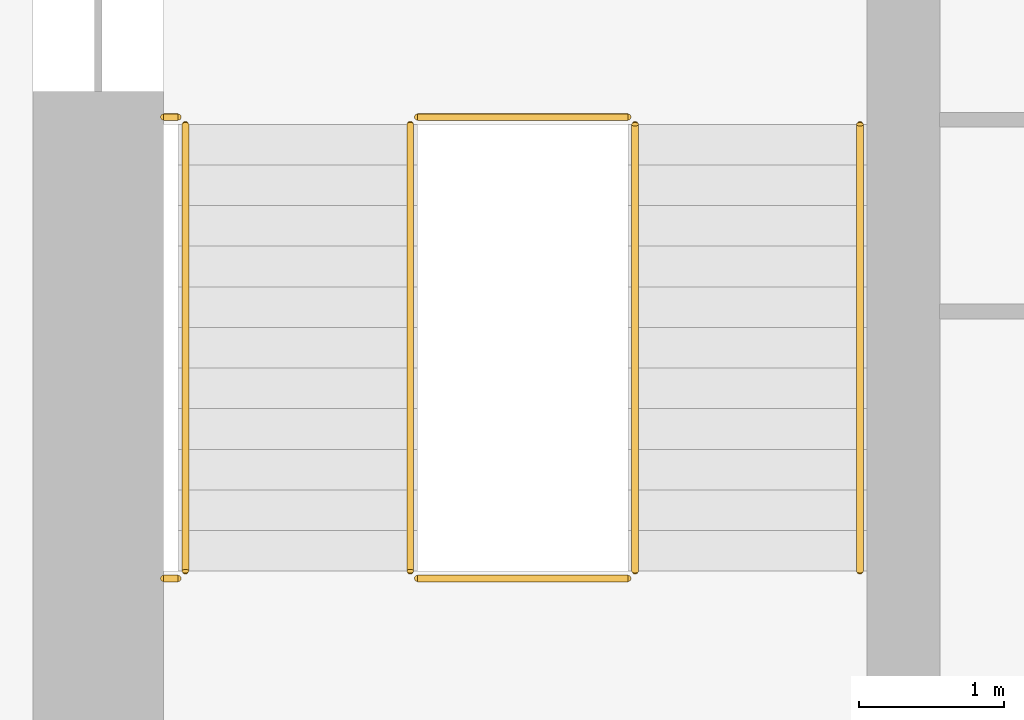
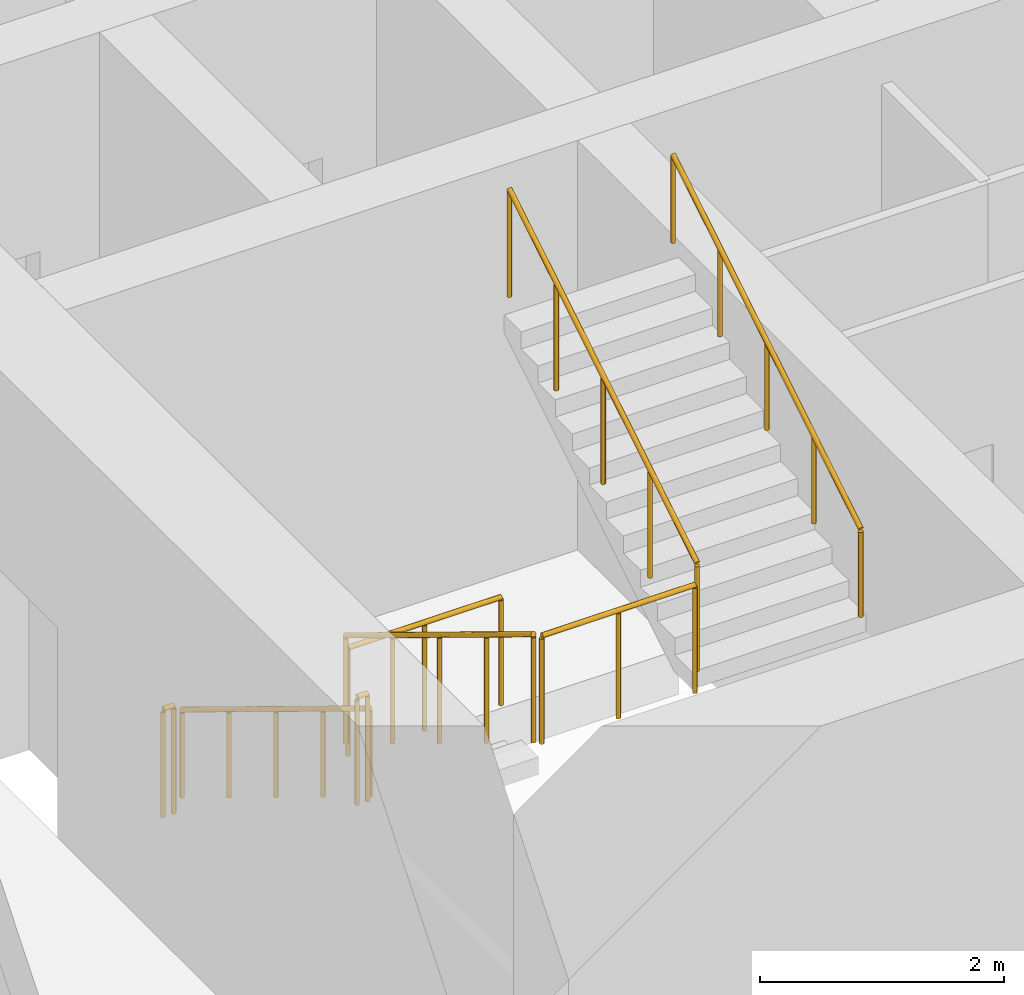
# One storey, part 10 of 16: 8 railings.
"""IFC4 building model written with IfcOpenShell, lengths in metres."""

from ifc_helpers import new_model, si_unit, direction, frame, origin, origin_2d, place, context, subcontext, project, spatial, circle, extrude, material, type_object, element, save


model = new_model("IFC4")

# Units and contexts
model_context = context("Model", 3, precision=1e-05, world=origin(), true_north=direction((0.0, 1.0)))
body_context = subcontext(model_context, "Body", "Model", "MODEL_VIEW")
ifc_project = project(units=[si_unit("LENGTHUNIT", "METRE"), si_unit("AREAUNIT", "SQUARE_METRE"), si_unit("VOLUMEUNIT", "CUBIC_METRE"), si_unit("PLANEANGLEUNIT", "RADIAN"), si_unit("MASSUNIT", "GRAM", prefix="KILO")], contexts=[model_context])

# Site, building, storey
site_placement = place(None, origin())
site = spatial("IfcSite", under=ifc_project, at=site_placement, CompositionType="ELEMENT")
building_placement = place(site_placement, origin())
building = spatial("IfcBuilding", under=site, at=building_placement, Name="Corbel Stack Research Tower", CompositionType="ELEMENT")
storey_placement = place(building_placement, frame((0.0, 0.0, 137.199951171875)))
storey = spatial("IfcBuildingStorey", under=building, at=storey_placement, Name="L31", CompositionType="ELEMENT", Elevation=137.199951171875)

# Railings
ifc_material_1 = material(Name="Steel S355", Category="steel")
railing_type_1 = type_object("IfcRailingType", Name="Stair guard 1100", PredefinedType="GUARDRAIL", material=ifc_material_1)
railing_1_placement = place(storey_placement, frame((-7.89990234375, -2.39990234375, 0.1708984375)))
element("IfcRailing", 1, at=railing_1_placement, inside=storey, type_object=railing_type_1, Name="L31 ST-W1 stair guard 1", PredefinedType="GUARDRAIL", context=body_context, shape_type="SweptSolid", body=[
    extrude(circle(Radius=0.02392578125, at=origin_2d()), frame((0.0, 0.0, 1.076171875), z_axis=(0.0, -0.853666305674, 0.52082035152), x_axis=(1.0, 0.0, 0.0)), (0.0, 0.0, 1.0), 3.608154296875),
    extrude(circle(Radius=0.02099609375, at=origin_2d()), origin(), (0.0, 0.0, 1.0), 1.052001953125),
    extrude(circle(Radius=0.02099609375, at=origin_2d()), frame((0.0, -0.77001953125, 0.4697265625)), (0.0, 0.0, 1.0), 1.052001953125),
    extrude(circle(Radius=0.02099609375, at=origin_2d()), frame((0.0, -1.5400390625, 0.939453125)), (0.0, 0.0, 1.0), 1.052001953125),
    extrude(circle(Radius=0.02099609375, at=origin_2d()), frame((0.0, -2.31005859375, 1.409423828125)), (0.0, 0.0, 1.0), 1.052001953125),
    extrude(circle(Radius=0.02099609375, at=origin_2d()), frame((0.0, -3.080078125, 1.879150390625)), (0.0, 0.0, 1.0), 1.052001953125),
])
railing_2_placement = place(storey_placement, frame((-7.85009765625, -5.530029296875, 2.050048828125)))
element("IfcRailing", 2, at=railing_2_placement, inside=storey, type_object=railing_type_1, Name="L31 ST-W1 stair guard 2", PredefinedType="GUARDRAIL", context=body_context, shape_type="SweptSolid", body=[
    extrude(circle(Radius=0.02392578125, at=origin_2d()), frame((0.0, 0.0, 1.076171875), z_axis=(1.0, 0.0, 0.0), x_axis=(0.0, 1.0, 0.0)), (0.0, 0.0, 1.0), 1.4501953125),
    extrude(circle(Radius=0.02099609375, at=origin_2d()), origin(), (0.0, 0.0, 1.0), 1.052001953125),
    extrude(circle(Radius=0.02099609375, at=origin_2d()), frame((0.72509765625, 0.0, 0.0)), (0.0, 0.0, 1.0), 1.052001953125),
    extrude(circle(Radius=0.02099609375, at=origin_2d()), frame((1.4501953125, 0.0, 0.0)), (0.0, 0.0, 1.0), 1.052001953125),
])
railing_3_placement = place(storey_placement, frame((-9.60009765625, -5.530029296875, 2.050048828125)))
element("IfcRailing", 3, at=railing_3_placement, inside=storey, type_object=railing_type_1, Name="L31 ST-W1 stair guard 3", PredefinedType="GUARDRAIL", context=body_context, shape_type="SweptSolid", body=[
    extrude(circle(Radius=0.02392578125, at=origin_2d()), frame((0.0, 0.0, 1.076171875), z_axis=(1.0, 0.0, 0.0), x_axis=(0.0, 1.0, 0.0)), (0.0, 0.0, 1.0), 0.10009765625),
    extrude(circle(Radius=0.02099609375, at=origin_2d()), origin(), (0.0, 0.0, 1.0), 1.052001953125),
    extrude(circle(Radius=0.02099609375, at=origin_2d()), frame((0.10009765625, 0.0, 0.0)), (0.0, 0.0, 1.0), 1.052001953125),
])
railing_4_placement = place(storey_placement, frame((-6.35009765625, -5.47998046875, 2.220947265625)))
element("IfcRailing", 4, at=railing_4_placement, inside=storey, type_object=railing_type_1, Name="L31 ST-W1 stair guard 4", PredefinedType="GUARDRAIL", context=body_context, shape_type="SweptSolid", body=[
    extrude(circle(Radius=0.02392578125, at=origin_2d()), frame((0.0, 0.0, 1.076171875), z_axis=(0.0, 0.853666305674, 0.52082035152), x_axis=(-1.0, 0.0, 0.0)), (0.0, 0.0, 1.0), 3.608154296875),
    extrude(circle(Radius=0.02099609375, at=origin_2d()), origin(), (0.0, 0.0, 1.0), 1.052001953125),
    extrude(circle(Radius=0.02099609375, at=origin_2d()), frame((0.0, 0.77001953125, 0.4697265625)), (0.0, 0.0, 1.0), 1.052001953125),
    extrude(circle(Radius=0.02099609375, at=origin_2d()), frame((0.0, 1.5400390625, 0.939453125)), (0.0, 0.0, 1.0), 1.052001953125),
    extrude(circle(Radius=0.02099609375, at=origin_2d()), frame((0.0, 2.31005859375, 1.409423828125)), (0.0, 0.0, 1.0), 1.052001953125),
    extrude(circle(Radius=0.02099609375, at=origin_2d()), frame((0.0, 3.080078125, 1.879150390625)), (0.0, 0.0, 1.0), 1.052001953125),
])
railing_5_placement = place(storey_placement, frame((-7.85009765625, -2.35009765625, 0.0)))
element("IfcRailing", 5, at=railing_5_placement, inside=storey, type_object=railing_type_1, Name="L31 ST-W1 stair guard 5", PredefinedType="GUARDRAIL", context=body_context, shape_type="SweptSolid", body=[
    extrude(circle(Radius=0.02392578125, at=origin_2d()), frame((0.0, 0.0, 1.076171875), z_axis=(1.0, 0.0, 0.0), x_axis=(0.0, 1.0, 0.0)), (0.0, 0.0, 1.0), 1.4501953125),
    extrude(circle(Radius=0.02099609375, at=origin_2d()), origin(), (0.0, 0.0, 1.0), 1.052001953125),
    extrude(circle(Radius=0.02099609375, at=origin_2d()), frame((0.72509765625, 0.0, 0.0)), (0.0, 0.0, 1.0), 1.052001953125),
    extrude(circle(Radius=0.02099609375, at=origin_2d()), frame((1.4501953125, 0.0, 0.0)), (0.0, 0.0, 1.0), 1.052001953125),
])
railing_6_placement = place(storey_placement, frame((-9.60009765625, -2.35009765625, 0.0)))
element("IfcRailing", 6, at=railing_6_placement, inside=storey, type_object=railing_type_1, Name="L31 ST-W1 stair guard 6", PredefinedType="GUARDRAIL", context=body_context, shape_type="SweptSolid", body=[
    extrude(circle(Radius=0.02392578125, at=origin_2d()), frame((0.0, 0.0, 1.076171875), z_axis=(1.0, 0.0, 0.0), x_axis=(0.0, 1.0, 0.0)), (0.0, 0.0, 1.0), 0.10009765625),
    extrude(circle(Radius=0.02099609375, at=origin_2d()), origin(), (0.0, 0.0, 1.0), 1.052001953125),
    extrude(circle(Radius=0.02099609375, at=origin_2d()), frame((0.10009765625, 0.0, 0.0)), (0.0, 0.0, 1.0), 1.052001953125),
])
ifc_material_2 = material(Name="Steel S355", Category="steel")
railing_type_2 = type_object("IfcRailingType", Name="Stair handrail 900", PredefinedType="HANDRAIL", material=ifc_material_2)
railing_7_placement = place(storey_placement, frame((-9.449951171875, -2.39990234375, 0.1708984375)))
element("IfcRailing", 7, at=railing_7_placement, inside=storey, type_object=railing_type_2, Name="L31 ST-W1 stair handrail 1", PredefinedType="HANDRAIL", context=body_context, shape_type="SweptSolid", body=[
    extrude(circle(Radius=0.02392578125, at=origin_2d()), frame((0.0, 0.0, 0.8759765625), z_axis=(0.0, -0.853666305674, 0.52082035152), x_axis=(1.0, 0.0, 0.0)), (0.0, 0.0, 1.0), 3.608154296875),
    extrude(circle(Radius=0.02099609375, at=origin_2d()), origin(), (0.0, 0.0, 1.0), 0.851806640625),
    extrude(circle(Radius=0.02099609375, at=origin_2d()), frame((0.0, -0.77001953125, 0.4697265625)), (0.0, 0.0, 1.0), 0.851806640625),
    extrude(circle(Radius=0.02099609375, at=origin_2d()), frame((0.0, -1.5400390625, 0.939453125)), (0.0, 0.0, 1.0), 0.851806640625),
    extrude(circle(Radius=0.02099609375, at=origin_2d()), frame((0.0, -2.31005859375, 1.409423828125)), (0.0, 0.0, 1.0), 0.851806640625),
    extrude(circle(Radius=0.02099609375, at=origin_2d()), frame((0.0, -3.080078125, 1.879150390625)), (0.0, 0.0, 1.0), 0.851806640625),
])
railing_8_placement = place(storey_placement, frame((-4.800048828125, -5.47998046875, 2.220947265625)))
element("IfcRailing", 8, at=railing_8_placement, inside=storey, type_object=railing_type_2, Name="L31 ST-W1 stair handrail 2", PredefinedType="HANDRAIL", context=body_context, shape_type="SweptSolid", body=[
    extrude(circle(Radius=0.02392578125, at=origin_2d()), frame((0.0, 0.0, 0.8759765625), z_axis=(0.0, 0.853666305674, 0.52082035152), x_axis=(-1.0, 0.0, 0.0)), (0.0, 0.0, 1.0), 3.608154296875),
    extrude(circle(Radius=0.02099609375, at=origin_2d()), origin(), (0.0, 0.0, 1.0), 0.851806640625),
    extrude(circle(Radius=0.02099609375, at=origin_2d()), frame((0.0, 0.77001953125, 0.4697265625)), (0.0, 0.0, 1.0), 0.851806640625),
    extrude(circle(Radius=0.02099609375, at=origin_2d()), frame((0.0, 1.5400390625, 0.939453125)), (0.0, 0.0, 1.0), 0.851806640625),
    extrude(circle(Radius=0.02099609375, at=origin_2d()), frame((0.0, 2.31005859375, 1.409423828125)), (0.0, 0.0, 1.0), 0.851806640625),
    extrude(circle(Radius=0.02099609375, at=origin_2d()), frame((0.0, 3.080078125, 1.879150390625)), (0.0, 0.0, 1.0), 0.851806640625),
])

save(model, "model.ifc")
